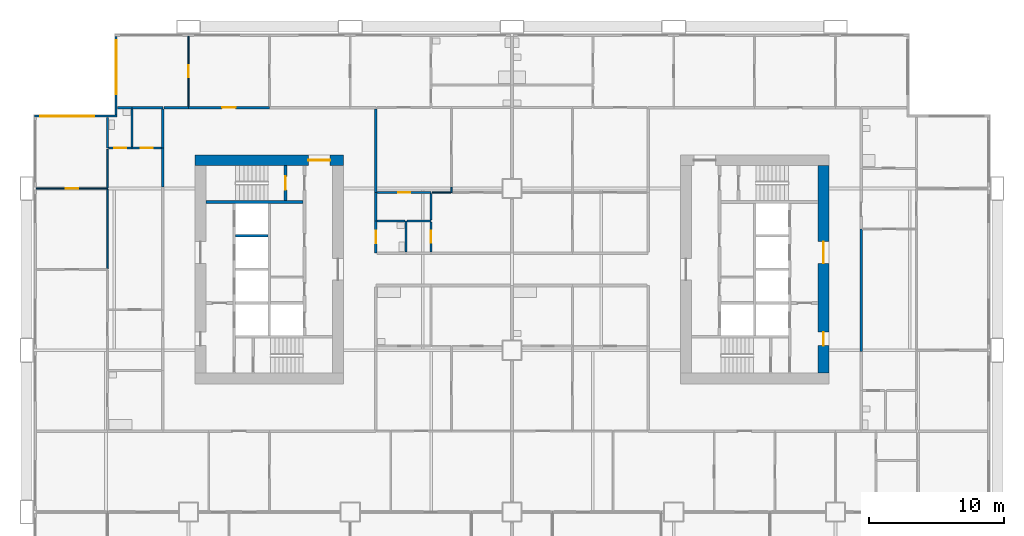
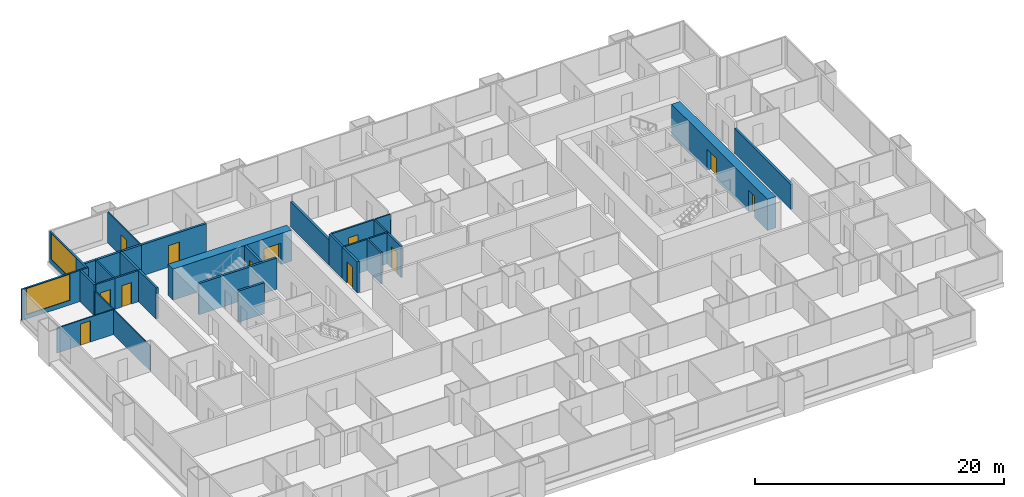
# One storey, part 7 of 13: 33 walls, 12 doors, 2 windows, 14 openings.
"""IFC4 building model written with IfcOpenShell, lengths in metres."""

import ifcopenshell
import ifcopenshell.guid

model = None  # the IFC model being written
_history = None  # IfcOwnerHistory: only IFC2X3 demands one
_inside = {}  # id of a spatial element -> (the spatial element, [elements in it])
_under = {}  # id of a project, library or spatial element -> (it, [spatial elements below it])
_declared = {}  # id of a project -> (the project, [libraries it declares])
_typed = {}  # id of a type object -> (the type object, [elements of that type])
_made_of = {}  # id of a material, layer set ... -> (it, [elements and type objects made of it])


def new_model(schema):
    """Start an empty IFC model of exactly this schema.

    Asked for "IFC4X3", IfcOpenShell would pick the latest addendum, in which some entities
    have other attributes; the version numbers below select the first issue.
    IFC2X3 requires an IfcOwnerHistory on every rooted entity: one is made here for all.
    """
    global model, _history
    if schema == "IFC4X3":
        model = ifcopenshell.file(schema_version=(4, 3, 0, 0))
    else:
        model = ifcopenshell.file(schema=schema)
    _inside.clear()
    _under.clear()
    _declared.clear()
    _typed.clear()
    _made_of.clear()
    _history = None
    if model.schema == "IFC2X3":
        org = make("IfcOrganization", Name="unknown")
        user = make(
            "IfcPersonAndOrganization",
            ThePerson=make("IfcPerson", FamilyName="unknown"),
            TheOrganization=org,
        )
        app = make(
            "IfcApplication",
            ApplicationDeveloper=org,
            Version="unknown",
            ApplicationFullName="unknown",
            ApplicationIdentifier="unknown",
        )
        _history = make(
            "IfcOwnerHistory",
            OwningUser=user,
            OwningApplication=app,
            ChangeAction="ADDED",
            CreationDate=0,
        )
    return model


def make(cls, **values):
    """One entity of the class cls with the attributes given. An attribute that is None is left unset."""
    return model.create_entity(
        cls, **{name: value for name, value in values.items() if value is not None}
    )


def rooted(cls, **values):
    """An entity with a GlobalId (a new one), such as an element, a storey or a relation."""
    return make(cls, GlobalId=ifcopenshell.guid.new(), OwnerHistory=_history, **values)


def si_unit(unit_type, name, prefix=None):
    """IfcSIUnit, for example si_unit("LENGTHUNIT", "METRE", prefix="MILLI")."""
    return make("IfcSIUnit", UnitType=unit_type, Prefix=prefix, Name=name)


def assignment(units):
    """IfcUnitAssignment: the units of a project."""
    return None if units is None else make("IfcUnitAssignment", Units=units)


def point(xyz):
    """IfcCartesianPoint."""
    return None if xyz is None else make("IfcCartesianPoint", Coordinates=xyz)


def direction(xyz):
    """IfcDirection."""
    return None if xyz is None else make("IfcDirection", DirectionRatios=xyz)


def frame(location, z_axis=None, x_axis=None):
    """IfcAxis2Placement3D, a coordinate frame: its origin and axes. An axis left out is left unset."""
    return make(
        "IfcAxis2Placement3D",
        Location=point(location),
        Axis=direction(z_axis),
        RefDirection=direction(x_axis),
    )


def frame_2d(location, x_axis=None):
    """IfcAxis2Placement2D, a coordinate frame in the plane: its origin and x axis."""
    return make(
        "IfcAxis2Placement2D", Location=point(location), RefDirection=direction(x_axis)
    )


def origin():
    """The frame at (0, 0, 0) with its axes left unset."""
    return frame((0.0, 0.0, 0.0))


def place(relative_to, where):
    """IfcLocalPlacement: puts the frame where relative to a parent placement (None: the world)."""
    return make(
        "IfcLocalPlacement", PlacementRelTo=relative_to, RelativePlacement=where
    )


def context(
    kind, dimensions, precision=None, world=None, true_north=None, identifier=None
):
    """IfcGeometricRepresentationContext, for example the 3D "Model" context."""
    return make(
        "IfcGeometricRepresentationContext",
        ContextIdentifier=identifier,
        ContextType=kind,
        CoordinateSpaceDimension=dimensions,
        Precision=precision,
        WorldCoordinateSystem=world,
        TrueNorth=true_north,
    )


def subcontext(parent, identifier, kind, view, scale=None):
    """IfcGeometricRepresentationSubContext, for example "Body" below "Model"."""
    return make(
        "IfcGeometricRepresentationSubContext",
        ContextIdentifier=identifier,
        ContextType=kind,
        ParentContext=parent,
        TargetScale=scale,
        TargetView=view,
    )


def project(units=None, contexts=None):
    """IfcProject with its units and contexts."""
    return rooted(
        "IfcProject",
        Name="project",
        RepresentationContexts=contexts,
        UnitsInContext=assignment(units),
    )


def spatial(cls, under=None, at=None, **own):
    """A site, building, storey or space (cls), placed at a placement, below another one or the project."""
    s = rooted(cls, ObjectPlacement=at, **own)
    if under is not None:
        _under.setdefault(under.id(), (under, []))[1].append(s)
    return s


def profile(cls, at=None, kind="AREA", **sizes):
    """A parametric profile (cls). Its sizes go by their IFC names, for example OverallWidth=200.0."""
    return make(cls, ProfileType=kind, Position=at, **sizes)


def rectangle(**sizes):
    """IfcRectangleProfileDef."""
    return profile("IfcRectangleProfileDef", **sizes)


def extrude(swept, where, along, depth):
    """IfcExtrudedAreaSolid: the profile swept, set in the frame where, extruded along a direction by depth."""
    return make(
        "IfcExtrudedAreaSolid",
        SweptArea=swept,
        Position=where,
        ExtrudedDirection=direction(along),
        Depth=depth,
    )


def shape(context_of_items, identifier, shape_type, items):
    """IfcShapeRepresentation: the items that make up one representation, for example the "Body"."""
    return make(
        "IfcShapeRepresentation",
        ContextOfItems=context_of_items,
        RepresentationIdentifier=identifier,
        RepresentationType=shape_type,
        Items=items,
    )


def material(Name=None, Category=None):
    """IfcMaterial."""
    return make("IfcMaterial", Name=Name, Category=Category)


def layer(
    of_material, thickness, ventilated=None, Name=None, Category=None, Priority=None
):
    """IfcMaterialLayer: one layer of a wall or slab, of a material (None: an air gap)."""
    return make(
        "IfcMaterialLayer",
        Material=of_material,
        LayerThickness=thickness,
        IsVentilated=ventilated,
        Name=Name,
        Category=Category,
        Priority=Priority,
    )


def layer_set(layers, Name=None):
    """IfcMaterialLayerSet."""
    return make("IfcMaterialLayerSet", MaterialLayers=layers, LayerSetName=Name)


def made_of(thing, what):
    """Note that an element or type object is made of a material, layer set ...; save() writes the relation."""
    if what is not None:
        _made_of.setdefault(what.id(), (what, []))[1].append(thing)
    return thing


def type_object(cls, material=None, **own):
    """A type object (cls), such as IfcWallType, which elements share."""
    return made_of(rooted(cls, **own), material)


def element(
    cls,
    number,
    at=None,
    inside=None,
    cuts=None,
    type_object=None,
    material=None,
    context=None,
    identifier="Body",
    shape_type=None,
    held_by="IfcProductDefinitionShape",
    body=None,
    shapes=None,
    **own,
):
    """One element of the class cls, such as IfcWall. Its Tag is "e" and its number.

    at: its placement. inside: the storey or other place that contains it. cuts: it is an
    opening in that element (IfcRelVoidsElement). A single representation is given by context,
    identifier, shape_type and body (its items); several are given by shapes. held_by: the class
    of the entity that holds the representations. save() writes the other relations.
    """
    e = rooted(cls, Tag="e%d" % number, ObjectPlacement=at, **own)
    if body is not None:
        shapes = [shape(context, identifier, shape_type, body)]
    if shapes is not None:
        e.Representation = make(held_by, Representations=shapes)
    if inside is not None:
        _inside.setdefault(inside.id(), (inside, []))[1].append(e)
    if cuts is not None:
        rooted(
            "IfcRelVoidsElement", RelatingBuildingElement=cuts, RelatedOpeningElement=e
        )
    if type_object is not None:
        _typed.setdefault(type_object.id(), (type_object, []))[1].append(e)
    return made_of(e, material)


def fill(opening, filler):
    """IfcRelFillsElement: the door or window that sits in an opening."""
    return rooted(
        "IfcRelFillsElement",
        RelatingOpeningElement=opening,
        RelatedBuildingElement=filler,
    )


def aggregate(whole, parts):
    """IfcRelAggregates: a whole, such as a stair, and the parts it consists of."""
    return rooted("IfcRelAggregates", RelatingObject=whole, RelatedObjects=parts)


def save(model, path):
    """Write the relations noted so far, then the file.

    IfcRelAggregates (storeys below a building ...), IfcRelContainedInSpatialStructure (elements
    in a storey), IfcRelDefinesByType, IfcRelAssociatesMaterial and IfcRelDeclares: one each for
    every whole, place, type object, material and project.
    """
    for whole, parts in _under.values():
        aggregate(whole, parts)
    for where, things in _inside.values():
        rooted(
            "IfcRelContainedInSpatialStructure",
            RelatedElements=things,
            RelatingStructure=where,
        )
    for kind, things in _typed.values():
        rooted("IfcRelDefinesByType", RelatedObjects=things, RelatingType=kind)
    for what, things in _made_of.values():
        rooted("IfcRelAssociatesMaterial", RelatedObjects=things, RelatingMaterial=what)
    for by, libraries in _declared.values():
        rooted("IfcRelDeclares", RelatingContext=by, RelatedDefinitions=libraries)
    model.write(path)


model = new_model("IFC4")

# Units and contexts
model_context = context("Model", 3, precision=1e-05, world=origin(), true_north=direction((0.0, 1.0)))
body_context = subcontext(model_context, "Body", "Model", "MODEL_VIEW")
ifc_project = project(units=[si_unit("LENGTHUNIT", "METRE"), si_unit("AREAUNIT", "SQUARE_METRE"), si_unit("VOLUMEUNIT", "CUBIC_METRE"), si_unit("PLANEANGLEUNIT", "RADIAN"), si_unit("MASSUNIT", "GRAM", prefix="KILO")], contexts=[model_context])

# Site, building, storey
site_placement = place(None, origin())
site = spatial("IfcSite", under=ifc_project, at=site_placement, CompositionType="ELEMENT")
building_placement = place(site_placement, origin())
building = spatial("IfcBuilding", under=site, at=building_placement, Name="Kitamizu Gate Tower and Museum", CompositionType="ELEMENT")
storey_placement = place(building_placement, frame((0.0, 0.0, 36.89990234375)))
storey = spatial("IfcBuildingStorey", under=building, at=storey_placement, Name="L07", CompositionType="ELEMENT", Elevation=36.89990234375)

# Wall, opening, door
ifc_material_1 = material(Name="Concrete Fc60", Category="concrete")
ifc_layer_1 = layer(ifc_material_1, 0.800048828125)
ifc_layer_set_1 = layer_set([ifc_layer_1], Name="Concrete Fc60")
wall_type_1 = type_object("IfcWallType", Name="Core wall 800", PredefinedType="SHEAR", material=ifc_layer_set_1)
wall_1_placement = place(storey_placement, frame((12.5, 38.10009765625, 0.0), z_axis=(0.0, 0.0, 1.0), x_axis=(1.0, 0.0, 0.0)))
wall_1 = element("IfcWall", 1, at=wall_1_placement, inside=storey, type_object=wall_type_1, Name="Core wall WN", PredefinedType="SHEAR", context=body_context, shape_type="SweptSolid", body=[
    extrude(rectangle(XDim=11.0, YDim=0.800048828125, at=frame_2d((5.5, 0.0))), origin(), (0.0, 0.0, 1.0), 3.050048828125),
])
opening_1_placement = place(wall_1_placement, frame((8.39990234375, 0.0, 0.0)))
opening_1 = element("IfcOpeningElement", 2, at=opening_1_placement, cuts=wall_1, Name="Opening L07-085", PredefinedType="OPENING", context=body_context, shape_type="SweptSolid", body=[
    extrude(rectangle(XDim=1.60009765625, YDim=2.10009765625, at=frame_2d((0.800048828125, 1.050048828125))), frame((0.0, 0.41015625, 0.0), z_axis=(0.0, -1.0, 0.0), x_axis=(1.0, 0.0, 0.0)), (0.0, 0.0, 1.0), 0.820068359375),
])
ifc_material_2 = material(Name="Timber door set", Category="wood")
door_type_1 = type_object("IfcDoorType", Name="Entrance door 1600", OperationType="DOUBLE_DOOR_SINGLE_SWING", PredefinedType="DOOR", material=ifc_material_2)
door_1_placement = place(opening_1_placement, origin())
door_1 = element("IfcDoor", 3, at=door_1_placement, inside=storey, type_object=door_type_1, Name="Lobby door L07-085", OperationType="DOUBLE_DOOR_SINGLE_SWING", OverallHeight=2.10009765625, OverallWidth=1.60009765625, PredefinedType="DOOR", context=body_context, shape_type="SweptSolid", body=[
    extrude(rectangle(XDim=1.60009765625, YDim=2.10009765625, at=frame_2d((0.800048828125, 1.050048828125))), frame((0.0, 0.02490234375, 0.0), z_axis=(0.0, -1.0, 0.0), x_axis=(1.0, 0.0, 0.0)), (0.0, 0.0, 1.0), 0.050048828125),
])
fill(opening_1, door_1)

# Wall, openings, doors
wall_2_placement = place(storey_placement, frame((59.10009765625, 22.300048828125, 0.0), z_axis=(0.0, 0.0, 1.0), x_axis=(0.0, 1.0, 0.0)))
wall_2 = element("IfcWall", 4, at=wall_2_placement, inside=storey, type_object=wall_type_1, Name="Core wall EOUT", PredefinedType="SHEAR", context=body_context, shape_type="SweptSolid", body=[
    extrude(rectangle(XDim=15.39990234375, YDim=0.800048828125, at=frame_2d((7.699951171875, 0.0))), origin(), (0.0, 0.0, 1.0), 3.050048828125),
])
opening_2_placement = place(wall_2_placement, frame((8.14990234375, 0.0, 0.0)))
opening_2 = element("IfcOpeningElement", 5, at=opening_2_placement, cuts=wall_2, Name="Opening L07-094", PredefinedType="OPENING", context=body_context, shape_type="SweptSolid", body=[
    extrude(rectangle(XDim=1.60009765625, YDim=2.10009765625, at=frame_2d((0.800048828125, 1.050048828125))), frame((0.0, 0.41015625, 0.0), z_axis=(0.0, -1.0, 0.0), x_axis=(1.0, 0.0, 0.0)), (0.0, 0.0, 1.0), 0.820068359375),
])
opening_3_placement = place(wall_2_placement, frame((2.050048828125, 0.0, 0.0)))
opening_3 = element("IfcOpeningElement", 6, at=opening_3_placement, cuts=wall_2, Name="Opening L07-095", PredefinedType="OPENING", context=body_context, shape_type="SweptSolid", body=[
    extrude(rectangle(XDim=1.0, YDim=2.10009765625, at=frame_2d((0.5, 1.050048828125))), frame((0.0, 0.41015625, 0.0), z_axis=(0.0, -1.0, 0.0), x_axis=(1.0, 0.0, 0.0)), (0.0, 0.0, 1.0), 0.820068359375),
])
door_2_placement = place(opening_2_placement, origin())
door_2 = element("IfcDoor", 7, at=door_2_placement, inside=storey, type_object=door_type_1, Name="Lobby door L07-094", OperationType="DOUBLE_DOOR_SINGLE_SWING", OverallHeight=2.10009765625, OverallWidth=1.60009765625, PredefinedType="DOOR", context=body_context, shape_type="SweptSolid", body=[
    extrude(rectangle(XDim=1.60009765625, YDim=2.10009765625, at=frame_2d((0.800048828125, 1.050048828125))), frame((0.0, 0.02490234375, 0.0), z_axis=(0.0, -1.0, 0.0), x_axis=(1.0, 0.0, 0.0)), (0.0, 0.0, 1.0), 0.050048828125),
])
fill(opening_2, door_2)
ifc_material_3 = material(Name="Hollow metal door set")
door_type_2 = type_object("IfcDoorType", Name="Fire door 1000", OperationType="NOTDEFINED", PredefinedType="DOOR", material=ifc_material_3)
door_3_placement = place(opening_3_placement, origin())
door_3 = element("IfcDoor", 8, at=door_3_placement, inside=storey, type_object=door_type_2, Name="Fire-fighting lobby door L07-095", OperationType="SINGLE_SWING_RIGHT", OverallHeight=2.10009765625, OverallWidth=1.0, PredefinedType="DOOR", context=body_context, shape_type="SweptSolid", body=[
    extrude(rectangle(XDim=1.0, YDim=2.10009765625, at=frame_2d((0.5, 1.050048828125))), frame((0.0, 0.02490234375, 0.0), z_axis=(0.0, -1.0, 0.0), x_axis=(1.0, 0.0, 0.0)), (0.0, 0.0, 1.0), 0.050048828125),
])
fill(opening_3, door_3)

# Wall, opening, door
ifc_material_4 = material(Name="Gypsum board on galvanised stud")
ifc_layer_2 = layer(ifc_material_4, 0.10009765625)
ifc_layer_set_2 = layer_set([ifc_layer_2], Name="Gypsum board on galvanised stud")
wall_type_2 = type_object("IfcWallType", Name="Partition 100 NOT RATED", PredefinedType="PARTITIONING", material=ifc_layer_set_2)
wall_3_placement = place(storey_placement, frame((6.0, 36.0, 0.0), z_axis=(0.0, 0.0, 1.0), x_axis=(-1.0, 0.0, 0.0)))
wall_3 = element("IfcWall", 9, at=wall_3_placement, inside=storey, type_object=wall_type_2, Name="Partition L07-056", PredefinedType="PARTITIONING", context=body_context, shape_type="SweptSolid", body=[
    extrude(rectangle(XDim=5.280029296875, YDim=0.10009765625, at=frame_2d((2.64013671875, 0.0))), origin(), (0.0, 0.0, 1.0), 2.4501953125),
])
opening_4_placement = place(wall_3_placement, frame((2.18994140625, 0.0, 0.0)))
opening_4 = element("IfcOpeningElement", 10, at=opening_4_placement, cuts=wall_3, Name="Opening L07-023", PredefinedType="OPENING", context=body_context, shape_type="SweptSolid", body=[
    extrude(rectangle(XDim=0.89990234375, YDim=2.10009765625, at=frame_2d((0.449951171875, 1.050048828125))), frame((0.0, 0.06005859375, 0.0), z_axis=(0.0, -1.0, 0.0), x_axis=(1.0, 0.0, 0.0)), (0.0, 0.0, 1.0), 0.1201171875),
])
ifc_material_5 = material(Name="Timber door set", Category="wood")
door_type_3 = type_object("IfcDoorType", Name="Room door 900", OperationType="NOTDEFINED", PredefinedType="DOOR", material=ifc_material_5)
door_4_placement = place(opening_4_placement, frame((0.89990234375, 0.0, 0.0), x_axis=(-1.0, 0.0, 0.0)))
door_4 = element("IfcDoor", 11, at=door_4_placement, inside=storey, type_object=door_type_3, Name="Door L07-023", OperationType="SINGLE_SWING_LEFT", OverallHeight=2.10009765625, OverallWidth=0.89990234375, PredefinedType="DOOR", context=body_context, shape_type="SweptSolid", body=[
    extrude(rectangle(XDim=0.89990234375, YDim=2.10009765625, at=frame_2d((0.449951171875, 1.050048828125))), frame((0.0, 0.02490234375, 0.0), z_axis=(0.0, -1.0, 0.0), x_axis=(1.0, 0.0, 0.0)), (0.0, 0.0, 1.0), 0.050048828125),
])
fill(opening_4, door_4)

# Walls
wall_4_placement = place(storey_placement, frame((6.0, 30.050048828125, 0.0), z_axis=(0.0, 0.0, 1.0), x_axis=(0.0, 1.0, 0.0)))
element("IfcWall", 12, at=wall_4_placement, inside=storey, type_object=wall_type_2, Name="Partition L07-057", PredefinedType="PARTITIONING", context=body_context, shape_type="SweptSolid", body=[
    extrude(rectangle(XDim=5.89990234375, YDim=0.10009765625, at=frame_2d((2.949951171875, 0.0))), origin(), (0.0, 0.0, 1.0), 2.4501953125),
])
wall_5_placement = place(storey_placement, frame((6.0, 36.050048828125, 0.0), z_axis=(0.0, 0.0, 1.0), x_axis=(0.0, 1.0, 0.0)))
element("IfcWall", 13, at=wall_5_placement, inside=storey, type_object=wall_type_2, Name="Partition L07-058", PredefinedType="PARTITIONING", context=body_context, shape_type="SweptSolid", body=[
    extrude(rectangle(XDim=2.875, YDim=0.10009765625, at=frame_2d((1.4375, 0.0))), origin(), (0.0, 0.0, 1.0), 2.4501953125),
])

# Wall, opening, door
wall_6_placement = place(storey_placement, frame((12.0, 42.10009765625, 0.0), z_axis=(0.0, 0.0, 1.0), x_axis=(0.0, 1.0, 0.0)))
wall_6 = element("IfcWall", 14, at=wall_6_placement, inside=storey, type_object=wall_type_2, Name="Partition L07-146", PredefinedType="PARTITIONING", context=body_context, shape_type="SweptSolid", body=[
    extrude(rectangle(XDim=5.179931640625, YDim=0.10009765625, at=frame_2d((2.58984375, 0.0))), origin(), (0.0, 0.0, 1.0), 3.050048828125),
])
opening_5_placement = place(wall_6_placement, frame((2.139892578125, 0.0, 0.0)))
opening_5 = element("IfcOpeningElement", 15, at=opening_5_placement, cuts=wall_6, Name="Opening L07-058", PredefinedType="OPENING", context=body_context, shape_type="SweptSolid", body=[
    extrude(rectangle(XDim=0.89990234375, YDim=2.10009765625, at=frame_2d((0.449951171875, 1.050048828125))), frame((0.0, 0.06005859375, 0.0), z_axis=(0.0, -1.0, 0.0), x_axis=(1.0, 0.0, 0.0)), (0.0, 0.0, 1.0), 0.1201171875),
])
door_5_placement = place(opening_5_placement, origin())
door_5 = element("IfcDoor", 16, at=door_5_placement, inside=storey, type_object=door_type_3, Name="Door L07-058", OperationType="SINGLE_SWING_RIGHT", OverallHeight=2.10009765625, OverallWidth=0.89990234375, PredefinedType="DOOR", context=body_context, shape_type="SweptSolid", body=[
    extrude(rectangle(XDim=0.89990234375, YDim=2.10009765625, at=frame_2d((0.449951171875, 1.050048828125))), frame((0.0, 0.02490234375, 0.0), z_axis=(0.0, -1.0, 0.0), x_axis=(1.0, 0.0, 0.0)), (0.0, 0.0, 1.0), 0.050048828125),
])
fill(opening_5, door_5)

# Walls
wall_7_placement = place(storey_placement, frame((31.5, 35.699951171875, 0.0), z_axis=(0.0, 0.0, 1.0), x_axis=(0.0, 1.0, 0.0)))
element("IfcWall", 17, at=wall_7_placement, inside=storey, type_object=wall_type_2, Name="Partition L07-161", PredefinedType="PARTITIONING", context=body_context, shape_type="SweptSolid", body=[
    extrude(rectangle(XDim=0.400146484375, YDim=0.10009765625, at=frame_2d((0.2001953125, 0.0))), origin(), (0.0, 0.0, 1.0), 2.4501953125),
])
wall_8_placement = place(storey_placement, frame((30.074951171875, 35.699951171875, 0.0), z_axis=(0.0, 0.0, 1.0), x_axis=(1.0, 0.0, 0.0)))
element("IfcWall", 18, at=wall_8_placement, inside=storey, type_object=wall_type_2, Name="Partition L07-164", PredefinedType="PARTITIONING", context=body_context, shape_type="SweptSolid", body=[
    extrude(rectangle(XDim=1.375, YDim=0.10009765625, at=frame_2d((0.6875, 0.0))), origin(), (0.0, 0.0, 1.0), 3.050048828125),
])
ifc_material_6 = material(Name="Gypsum board on galvanised stud")
ifc_layer_3 = layer(ifc_material_6, 0.14990234375)
ifc_layer_set_3 = layer_set([ifc_layer_3], Name="Gypsum board on galvanised stud")
wall_type_3 = type_object("IfcWallType", Name="Partition 150", PredefinedType="PARTITIONING", material=ifc_layer_set_3)
wall_9_placement = place(storey_placement, frame((6.0, 39.0, 0.0), z_axis=(0.0, 0.0, 1.0), x_axis=(0.0, 1.0, 0.0)))
element("IfcWall", 19, at=wall_9_placement, inside=storey, type_object=wall_type_3, Name="Partition L07-059", PredefinedType="PARTITIONING", context=body_context, shape_type="SweptSolid", body=[
    extrude(rectangle(XDim=2.280029296875, YDim=0.14990234375, at=frame_2d((1.14013671875, 0.0))), origin(), (0.0, 0.0, 1.0), 3.050048828125),
])

# Wall, opening, door
wall_10_placement = place(storey_placement, frame((7.800048828125, 39.0, 0.0), z_axis=(0.0, 0.0, 1.0), x_axis=(-1.0, 0.0, 0.0)))
wall_10 = element("IfcWall", 20, at=wall_10_placement, inside=storey, type_object=wall_type_3, Name="Partition L07-065", PredefinedType="PARTITIONING", context=body_context, shape_type="SweptSolid", body=[
    extrude(rectangle(XDim=1.72509765625, YDim=0.14990234375, at=frame_2d((0.862548828125, 0.0))), origin(), (0.0, 0.0, 1.0), 3.050048828125),
])
opening_6_placement = place(wall_10_placement, frame((0.41259765625, 0.0, 0.0)))
opening_6 = element("IfcOpeningElement", 21, at=opening_6_placement, cuts=wall_10, Name="Opening L07-025", PredefinedType="OPENING", context=body_context, shape_type="SweptSolid", body=[
    extrude(rectangle(XDim=0.89990234375, YDim=2.10009765625, at=frame_2d((0.449951171875, 1.050048828125))), frame((0.0, 0.0849609375, 0.0), z_axis=(0.0, -1.0, 0.0), x_axis=(1.0, 0.0, 0.0)), (0.0, 0.0, 1.0), 0.169921875),
])
ifc_material_7 = material(Name="Timber door set", Category="wood")
door_type_4 = type_object("IfcDoorType", Name="Bathroom door 900", OperationType="NOTDEFINED", PredefinedType="DOOR", material=ifc_material_7)
door_6_placement = place(opening_6_placement, frame((0.89990234375, 0.0, 0.0), x_axis=(-1.0, 0.0, 0.0)))
door_6 = element("IfcDoor", 22, at=door_6_placement, inside=storey, type_object=door_type_4, Name="Bathroom door L07-025", OperationType="SINGLE_SWING_LEFT", OverallHeight=2.10009765625, OverallWidth=0.89990234375, PredefinedType="DOOR", context=body_context, shape_type="SweptSolid", body=[
    extrude(rectangle(XDim=0.89990234375, YDim=2.10009765625, at=frame_2d((0.449951171875, 1.050048828125))), frame((0.0, 0.02490234375, 0.0), z_axis=(0.0, -1.0, 0.0), x_axis=(1.0, 0.0, 0.0)), (0.0, 0.0, 1.0), 0.050048828125),
])
fill(opening_6, door_6)

wall_11_placement = place(storey_placement, frame((10.0, 39.0, 0.0), z_axis=(0.0, 0.0, 1.0), x_axis=(-1.0, 0.0, 0.0)))
wall_11 = element("IfcWall", 23, at=wall_11_placement, inside=storey, type_object=wall_type_3, Name="Partition L07-066", PredefinedType="PARTITIONING", context=body_context, shape_type="SweptSolid", body=[
    extrude(rectangle(XDim=2.199951171875, YDim=0.14990234375, at=frame_2d((1.10009765625, 0.0))), origin(), (0.0, 0.0, 1.0), 3.050048828125),
])
opening_7_placement = place(wall_11_placement, frame((0.64990234375, 0.0, 0.0)))
opening_7 = element("IfcOpeningElement", 24, at=opening_7_placement, cuts=wall_11, Name="Opening L07-026", PredefinedType="OPENING", context=body_context, shape_type="SweptSolid", body=[
    extrude(rectangle(XDim=0.89990234375, YDim=2.10009765625, at=frame_2d((0.449951171875, 1.050048828125))), frame((0.0, 0.0849609375, 0.0), z_axis=(0.0, -1.0, 0.0), x_axis=(1.0, 0.0, 0.0)), (0.0, 0.0, 1.0), 0.169921875),
])
door_7_placement = place(opening_7_placement, frame((0.89990234375, 0.0, 0.0), x_axis=(-1.0, 0.0, 0.0)))
door_7 = element("IfcDoor", 25, at=door_7_placement, inside=storey, type_object=door_type_4, Name="Bathroom door L07-026", OperationType="SINGLE_SWING_RIGHT", OverallHeight=2.10009765625, OverallWidth=0.89990234375, PredefinedType="DOOR", context=body_context, shape_type="SweptSolid", body=[
    extrude(rectangle(XDim=0.89990234375, YDim=2.10009765625, at=frame_2d((0.449951171875, 1.050048828125))), frame((0.0, 0.02490234375, 0.0), z_axis=(0.0, -1.0, 0.0), x_axis=(1.0, 0.0, 0.0)), (0.0, 0.0, 1.0), 0.050048828125),
])
fill(opening_7, door_7)

# Wall
wall_12_placement = place(storey_placement, frame((7.800048828125, 39.074951171875, 0.0), z_axis=(0.0, 0.0, 1.0), x_axis=(0.0, 1.0, 0.0)))
element("IfcWall", 26, at=wall_12_placement, inside=storey, type_object=wall_type_3, Name="Partition L07-069", PredefinedType="PARTITIONING", context=body_context, shape_type="SweptSolid", body=[
    extrude(rectangle(XDim=2.824951171875, YDim=0.14990234375, at=frame_2d((1.41259765625, 0.0))), origin(), (0.0, 0.0, 1.0), 3.050048828125),
])

# Wall, opening, door
wall_13_placement = place(storey_placement, frame((26.0, 35.699951171875, 0.0), z_axis=(0.0, 0.0, 1.0), x_axis=(1.0, 0.0, 0.0)))
wall_13 = element("IfcWall", 27, at=wall_13_placement, inside=storey, type_object=wall_type_3, Name="Partition L07-163", PredefinedType="PARTITIONING", context=body_context, shape_type="SweptSolid", body=[
    extrude(rectangle(XDim=4.0, YDim=0.14990234375, at=frame_2d((2.0, 0.0))), origin(), (0.0, 0.0, 1.0), 3.050048828125),
])
opening_8_placement = place(wall_13_placement, frame((1.550048828125, 0.0, 0.0)))
opening_8 = element("IfcOpeningElement", 28, at=opening_8_placement, cuts=wall_13, Name="Opening L07-064", PredefinedType="OPENING", context=body_context, shape_type="SweptSolid", body=[
    extrude(rectangle(XDim=0.89990234375, YDim=2.10009765625, at=frame_2d((0.449951171875, 1.050048828125))), frame((0.0, 0.0849609375, 0.0), z_axis=(0.0, -1.0, 0.0), x_axis=(1.0, 0.0, 0.0)), (0.0, 0.0, 1.0), 0.169921875),
])
door_8_placement = place(opening_8_placement, frame((0.89990234375, 0.0, 0.0), x_axis=(-1.0, 0.0, 0.0)))
door_8 = element("IfcDoor", 29, at=door_8_placement, inside=storey, type_object=door_type_4, Name="Bathroom door L07-064", OperationType="SINGLE_SWING_LEFT", OverallHeight=2.10009765625, OverallWidth=0.89990234375, PredefinedType="DOOR", context=body_context, shape_type="SweptSolid", body=[
    extrude(rectangle(XDim=0.89990234375, YDim=2.10009765625, at=frame_2d((0.449951171875, 1.050048828125))), frame((0.0, 0.02490234375, 0.0), z_axis=(0.0, -1.0, 0.0), x_axis=(1.0, 0.0, 0.0)), (0.0, 0.0, 1.0), 0.050048828125),
])
fill(opening_8, door_8)

# Walls
wall_14_placement = place(storey_placement, frame((28.14990234375, 31.300048828125, 0.0), z_axis=(0.0, 0.0, 1.0), x_axis=(0.0, 1.0, 0.0)))
element("IfcWall", 30, at=wall_14_placement, inside=storey, type_object=wall_type_3, Name="Partition L07-168", PredefinedType="PARTITIONING", context=body_context, shape_type="SweptSolid", body=[
    extrude(rectangle(XDim=2.300048828125, YDim=0.14990234375, at=frame_2d((1.14990234375, 0.0))), origin(), (0.0, 0.0, 1.0), 3.050048828125),
])
wall_15_placement = place(storey_placement, frame((28.074951171875, 33.60009765625, 0.0), z_axis=(0.0, 0.0, 1.0), x_axis=(-1.0, 0.0, 0.0)))
element("IfcWall", 31, at=wall_15_placement, inside=storey, type_object=wall_type_3, Name="Partition L07-169", PredefinedType="PARTITIONING", context=body_context, shape_type="SweptSolid", body=[
    extrude(rectangle(XDim=2.074951171875, YDim=0.14990234375, at=frame_2d((1.03759765625, 0.0))), origin(), (0.0, 0.0, 1.0), 3.050048828125),
])
wall_16_placement = place(storey_placement, frame((30.0, 33.60009765625, 0.0), z_axis=(0.0, 0.0, 1.0), x_axis=(-1.0, 0.0, 0.0)))
element("IfcWall", 32, at=wall_16_placement, inside=storey, type_object=wall_type_3, Name="Partition L07-172", PredefinedType="PARTITIONING", context=body_context, shape_type="SweptSolid", body=[
    extrude(rectangle(XDim=1.77490234375, YDim=0.14990234375, at=frame_2d((0.887451171875, 0.0))), origin(), (0.0, 0.0, 1.0), 3.050048828125),
])

# Wall, opening, door
wall_17_placement = place(storey_placement, frame((30.0, 31.300048828125, 0.0), z_axis=(0.0, 0.0, 1.0), x_axis=(0.0, 1.0, 0.0)))
wall_17 = element("IfcWall", 33, at=wall_17_placement, inside=storey, type_object=wall_type_3, Name="Partition L07-173", PredefinedType="PARTITIONING", context=body_context, shape_type="SweptSolid", body=[
    extrude(rectangle(XDim=2.224853515625, YDim=0.14990234375, at=frame_2d((1.1123046875, 0.0))), origin(), (0.0, 0.0, 1.0), 3.050048828125),
])
opening_9_placement = place(wall_17_placement, frame((0.66259765625, 0.0, 0.0)))
opening_9 = element("IfcOpeningElement", 34, at=opening_9_placement, cuts=wall_17, Name="Opening L07-066", PredefinedType="OPENING", context=body_context, shape_type="SweptSolid", body=[
    extrude(rectangle(XDim=0.89990234375, YDim=2.10009765625, at=frame_2d((0.449951171875, 1.050048828125))), frame((0.0, 0.0849609375, 0.0), z_axis=(0.0, -1.0, 0.0), x_axis=(1.0, 0.0, 0.0)), (0.0, 0.0, 1.0), 0.169921875),
])
door_9_placement = place(opening_9_placement, origin())
door_9 = element("IfcDoor", 35, at=door_9_placement, inside=storey, type_object=door_type_4, Name="Bathroom door L07-066", OperationType="SINGLE_SWING_LEFT", OverallHeight=2.10009765625, OverallWidth=0.89990234375, PredefinedType="DOOR", context=body_context, shape_type="SweptSolid", body=[
    extrude(rectangle(XDim=0.89990234375, YDim=2.10009765625, at=frame_2d((0.449951171875, 1.050048828125))), frame((0.0, 0.02490234375, 0.0), z_axis=(0.0, -1.0, 0.0), x_axis=(1.0, 0.0, 0.0)), (0.0, 0.0, 1.0), 0.050048828125),
])
fill(opening_9, door_9)

# Walls
wall_18_placement = place(storey_placement, frame((30.0, 33.675048828125, 0.0), z_axis=(0.0, 0.0, 1.0), x_axis=(0.0, 1.0, 0.0)))
element("IfcWall", 36, at=wall_18_placement, inside=storey, type_object=wall_type_3, Name="Partition L07-175", PredefinedType="PARTITIONING", context=body_context, shape_type="SweptSolid", body=[
    extrude(rectangle(XDim=1.949951171875, YDim=0.14990234375, at=frame_2d((0.97509765625, 0.0))), origin(), (0.0, 0.0, 1.0), 3.050048828125),
])
ifc_material_8 = material(Name="Gypsum board on galvanised stud")
ifc_layer_4 = layer(ifc_material_8, 0.199951171875)
ifc_layer_set_4 = layer_set([ifc_layer_4], Name="Gypsum board on galvanised stud")
wall_type_4 = type_object("IfcWallType", Name="Partition 200", PredefinedType="PARTITIONING", material=ifc_layer_set_4)
wall_19_placement = place(storey_placement, frame((10.10009765625, 36.10009765625, 0.0), z_axis=(0.0, 0.0, 1.0), x_axis=(0.0, 1.0, 0.0)))
element("IfcWall", 37, at=wall_19_placement, inside=storey, type_object=wall_type_4, Name="Partition L07-068", PredefinedType="PARTITIONING", context=body_context, shape_type="SweptSolid", body=[
    extrude(rectangle(XDim=2.89990234375, YDim=0.199951171875, at=frame_2d((1.449951171875, 0.0))), origin(), (0.0, 0.0, 1.0), 3.050048828125),
])
wall_20_placement = place(storey_placement, frame((7.800048828125, 42.0, 0.0), z_axis=(0.0, 0.0, 1.0), x_axis=(-1.0, 0.0, 0.0)))
element("IfcWall", 38, at=wall_20_placement, inside=storey, type_object=wall_type_4, Name="Partition L07-070", PredefinedType="PARTITIONING", context=body_context, shape_type="SweptSolid", body=[
    extrude(rectangle(XDim=1.080078125, YDim=0.199951171875, at=frame_2d((0.5400390625, 0.0))), origin(), (0.0, 0.0, 1.0), 3.050048828125),
])
wall_21_placement = place(storey_placement, frame((10.10009765625, 42.0, 0.0), z_axis=(0.0, 0.0, 1.0), x_axis=(-1.0, 0.0, 0.0)))
element("IfcWall", 39, at=wall_21_placement, inside=storey, type_object=wall_type_4, Name="Partition L07-071", PredefinedType="PARTITIONING", context=body_context, shape_type="SweptSolid", body=[
    extrude(rectangle(XDim=2.300048828125, YDim=0.199951171875, at=frame_2d((1.14990234375, 0.0))), origin(), (0.0, 0.0, 1.0), 3.050048828125),
])
wall_22_placement = place(storey_placement, frame((10.10009765625, 39.0, 0.0), z_axis=(0.0, 0.0, 1.0), x_axis=(0.0, 1.0, 0.0)))
element("IfcWall", 40, at=wall_22_placement, inside=storey, type_object=wall_type_4, Name="Partition L07-072", PredefinedType="PARTITIONING", context=body_context, shape_type="SweptSolid", body=[
    extrude(rectangle(XDim=2.89990234375, YDim=0.199951171875, at=frame_2d((1.449951171875, 0.0))), origin(), (0.0, 0.0, 1.0), 3.050048828125),
])
wall_23_placement = place(storey_placement, frame((61.89990234375, 33.0, 0.0), z_axis=(0.0, 0.0, 1.0), x_axis=(0.0, -1.0, 0.0)))
element("IfcWall", 41, at=wall_23_placement, inside=storey, type_object=wall_type_4, Name="Partition L07-139", PredefinedType="PARTITIONING", context=body_context, shape_type="SweptSolid", body=[
    extrude(rectangle(XDim=9.10009765625, YDim=0.199951171875, at=frame_2d((4.550048828125, 0.0))), origin(), (0.0, 0.0, 1.0), 2.4501953125),
])
wall_24_placement = place(storey_placement, frame((10.199951171875, 42.0, 0.0), z_axis=(0.0, 0.0, 1.0), x_axis=(1.0, 0.0, 0.0)))
element("IfcWall", 42, at=wall_24_placement, inside=storey, type_object=wall_type_4, Name="Partition L07-147", PredefinedType="PARTITIONING", context=body_context, shape_type="SweptSolid", body=[
    extrude(rectangle(XDim=1.800048828125, YDim=0.199951171875, at=frame_2d((0.89990234375, 0.0))), origin(), (0.0, 0.0, 1.0), 3.050048828125),
])

# Wall, opening, door
wall_25_placement = place(storey_placement, frame((12.0, 42.0, 0.0), z_axis=(0.0, 0.0, 1.0), x_axis=(1.0, 0.0, 0.0)))
wall_25 = element("IfcWall", 43, at=wall_25_placement, inside=storey, type_object=wall_type_4, Name="Partition L07-149", PredefinedType="PARTITIONING", context=body_context, shape_type="SweptSolid", body=[
    extrude(rectangle(XDim=6.0, YDim=0.199951171875, at=frame_2d((3.0, 0.0))), origin(), (0.0, 0.0, 1.0), 3.050048828125),
])
opening_10_placement = place(wall_25_placement, frame((2.5, 0.0, 0.0)))
opening_10 = element("IfcOpeningElement", 44, at=opening_10_placement, cuts=wall_25, Name="Opening L07-056", PredefinedType="OPENING", context=body_context, shape_type="SweptSolid", body=[
    extrude(rectangle(XDim=1.0, YDim=2.10009765625, at=frame_2d((0.5, 1.050048828125))), frame((0.0, 0.10986328125, 0.0), z_axis=(0.0, -1.0, 0.0), x_axis=(1.0, 0.0, 0.0)), (0.0, 0.0, 1.0), 0.219970703125),
])
ifc_material_9 = material(Name="Timber door set", Category="wood")
door_type_5 = type_object("IfcDoorType", Name="Flat entrance door 1000", OperationType="NOTDEFINED", PredefinedType="DOOR", material=ifc_material_9)
door_10_placement = place(opening_10_placement, origin())
door_10 = element("IfcDoor", 45, at=door_10_placement, inside=storey, type_object=door_type_5, Name="Flat entrance door L07-056", OperationType="SINGLE_SWING_RIGHT", OverallHeight=2.10009765625, OverallWidth=1.0, PredefinedType="DOOR", context=body_context, shape_type="SweptSolid", body=[
    extrude(rectangle(XDim=1.0, YDim=2.10009765625, at=frame_2d((0.5, 1.050048828125))), frame((0.0, 0.02490234375, 0.0), z_axis=(0.0, -1.0, 0.0), x_axis=(1.0, 0.0, 0.0)), (0.0, 0.0, 1.0), 0.050048828125),
])
fill(opening_10, door_10)

# Wall
wall_26_placement = place(storey_placement, frame((25.89990234375, 41.89990234375, 0.0), z_axis=(0.0, 0.0, 1.0), x_axis=(0.0, -1.0, 0.0)))
element("IfcWall", 46, at=wall_26_placement, inside=storey, type_object=wall_type_4, Name="Partition L07-165", PredefinedType="PARTITIONING", context=body_context, shape_type="SweptSolid", body=[
    extrude(rectangle(XDim=6.199951171875, YDim=0.199951171875, at=frame_2d((3.10009765625, 0.0))), origin(), (0.0, 0.0, 1.0), 2.4501953125),
])

# Wall, opening, door
wall_27_placement = place(storey_placement, frame((25.89990234375, 33.60009765625, 0.0), z_axis=(0.0, 0.0, 1.0), x_axis=(0.0, -1.0, 0.0)))
wall_27 = element("IfcWall", 47, at=wall_27_placement, inside=storey, type_object=wall_type_4, Name="Partition L07-170", PredefinedType="PARTITIONING", context=body_context, shape_type="SweptSolid", body=[
    extrude(rectangle(XDim=2.400146484375, YDim=0.199951171875, at=frame_2d((1.2001953125, 0.0))), origin(), (0.0, 0.0, 1.0), 3.050048828125),
])
opening_11_placement = place(wall_27_placement, frame((0.75, 0.0, 0.0)))
opening_11 = element("IfcOpeningElement", 48, at=opening_11_placement, cuts=wall_27, Name="Opening L07-067", PredefinedType="OPENING", context=body_context, shape_type="SweptSolid", body=[
    extrude(rectangle(XDim=0.89990234375, YDim=2.10009765625, at=frame_2d((0.449951171875, 1.050048828125))), frame((0.0, 0.10986328125, 0.0), z_axis=(0.0, -1.0, 0.0), x_axis=(1.0, 0.0, 0.0)), (0.0, 0.0, 1.0), 0.219970703125),
])
ifc_material_10 = material(Name="Timber door set", Category="wood")
door_type_6 = type_object("IfcDoorType", Name="Store door 900", OperationType="NOTDEFINED", PredefinedType="DOOR", material=ifc_material_10)
door_11_placement = place(opening_11_placement, origin())
door_11 = element("IfcDoor", 49, at=door_11_placement, inside=storey, type_object=door_type_6, Name="Service entrance door L07-067", OperationType="SINGLE_SWING_RIGHT", OverallHeight=2.10009765625, OverallWidth=0.89990234375, PredefinedType="DOOR", context=body_context, shape_type="SweptSolid", body=[
    extrude(rectangle(XDim=0.89990234375, YDim=2.10009765625, at=frame_2d((0.449951171875, 1.050048828125))), frame((0.0, 0.02490234375, 0.0), z_axis=(0.0, -1.0, 0.0), x_axis=(1.0, 0.0, 0.0)), (0.0, 0.0, 1.0), 0.050048828125),
])
fill(opening_11, door_11)

# Walls
wall_28_placement = place(storey_placement, frame((25.89990234375, 35.699951171875, 0.0), z_axis=(0.0, 0.0, 1.0), x_axis=(0.0, -1.0, 0.0)))
element("IfcWall", 50, at=wall_28_placement, inside=storey, type_object=wall_type_4, Name="Partition L07-176", PredefinedType="PARTITIONING", context=body_context, shape_type="SweptSolid", body=[
    extrude(rectangle(XDim=2.099853515625, YDim=0.199951171875, at=frame_2d((1.0498046875, 0.0))), origin(), (0.0, 0.0, 1.0), 3.050048828125),
])
ifc_material_11 = material(Name="Concrete Fc42", Category="concrete")
ifc_layer_5 = layer(ifc_material_11, 0.199951171875)
ifc_layer_set_5 = layer_set([ifc_layer_5], Name="Concrete Fc42")
wall_type_5 = type_object("IfcWallType", Name="Shaft wall 200", PredefinedType="SOLIDWALL", material=ifc_layer_set_5)
wall_29_placement = place(storey_placement, frame((13.300048828125, 35.0, 0.0), z_axis=(0.0, 0.0, 1.0), x_axis=(1.0, 0.0, 0.0)))
element("IfcWall", 51, at=wall_29_placement, inside=storey, type_object=wall_type_5, Name="Shaft wall WNB", PredefinedType="SOLIDWALL", context=body_context, shape_type="SweptSolid", body=[
    extrude(rectangle(XDim=7.199951171875, YDim=0.199951171875, at=frame_2d((3.60009765625, 0.0))), origin(), (0.0, 0.0, 1.0), 3.050048828125),
])

# Wall, opening, door
wall_30_placement = place(storey_placement, frame((19.199951171875, 35.10009765625, 0.0), z_axis=(0.0, 0.0, 1.0), x_axis=(0.0, 1.0, 0.0)))
wall_30 = element("IfcWall", 52, at=wall_30_placement, inside=storey, type_object=wall_type_5, Name="Shaft wall WNZ", PredefinedType="SOLIDWALL", context=body_context, shape_type="SweptSolid", body=[
    extrude(rectangle(XDim=2.599853515625, YDim=0.199951171875, at=frame_2d((1.2998046875, 0.0))), origin(), (0.0, 0.0, 1.0), 3.050048828125),
])
opening_12_placement = place(wall_30_placement, frame((0.800048828125, 0.0, 0.0)))
opening_12 = element("IfcOpeningElement", 53, at=opening_12_placement, cuts=wall_30, Name="Opening L07-081", PredefinedType="OPENING", context=body_context, shape_type="SweptSolid", body=[
    extrude(rectangle(XDim=1.0, YDim=2.10009765625, at=frame_2d((0.5, 1.050048828125))), frame((0.0, 0.10986328125, 0.0), z_axis=(0.0, -1.0, 0.0), x_axis=(1.0, 0.0, 0.0)), (0.0, 0.0, 1.0), 0.219970703125),
])
door_12_placement = place(opening_12_placement, origin())
door_12 = element("IfcDoor", 54, at=door_12_placement, inside=storey, type_object=door_type_2, Name="Stair door L07-081", OperationType="SINGLE_SWING_RIGHT", OverallHeight=2.10009765625, OverallWidth=1.0, PredefinedType="DOOR", context=body_context, shape_type="SweptSolid", body=[
    extrude(rectangle(XDim=1.0, YDim=2.10009765625, at=frame_2d((0.5, 1.050048828125))), frame((0.0, 0.02490234375, 0.0), z_axis=(0.0, -1.0, 0.0), x_axis=(1.0, 0.0, 0.0)), (0.0, 0.0, 1.0), 0.050048828125),
])
fill(opening_12, door_12)

# Wall
wall_31_placement = place(storey_placement, frame((15.5, 32.5, 0.0), z_axis=(0.0, 0.0, 1.0), x_axis=(1.0, 0.0, 0.0)))
element("IfcWall", 55, at=wall_31_placement, inside=storey, type_object=wall_type_5, Name="Shaft wall WDVW2", PredefinedType="SOLIDWALL", context=body_context, shape_type="SweptSolid", body=[
    extrude(rectangle(XDim=2.39990234375, YDim=0.199951171875, at=frame_2d((1.199951171875, 0.0))), origin(), (0.0, 0.0, 1.0), 3.050048828125),
])

# Wall, opening, window
ifc_material_12 = material(Name="Bronze anodised aluminium frame with insulated spandrel and tinted glass", Category="aluminium")
ifc_layer_6 = layer(ifc_material_12, 0.14990234375)
ifc_layer_set_6 = layer_set([ifc_layer_6], Name="Bronze anodised aluminium frame with insulated spandrel and tinted glass")
wall_type_6 = type_object("IfcWallType", Name="WINDOW WALL 150 BRONZE FRAME EI 30", PredefinedType="ELEMENTEDWALL", material=ifc_layer_set_6)
wall_32_placement = place(storey_placement, frame((6.635009765625, 41.43994140625, 0.0), z_axis=(0.0, 0.0, 1.0), x_axis=(0.0, 1.0, 0.0)))
wall_32 = element("IfcWall", 56, at=wall_32_placement, inside=storey, type_object=wall_type_6, Name="Window wall west L07", PredefinedType="ELEMENTEDWALL", context=body_context, shape_type="SweptSolid", body=[
    extrude(rectangle(XDim=5.85009765625, YDim=0.14990234375, at=frame_2d((2.925048828125, 0.0))), origin(), (0.0, 0.0, 1.0), 3.050048828125),
])
opening_13_placement = place(wall_32_placement, frame((1.56005859375, 0.0, 0.449951171875)))
opening_13 = element("IfcOpeningElement", 57, at=opening_13_placement, cuts=wall_32, Name="Opening W16", PredefinedType="OPENING", context=body_context, shape_type="SweptSolid", body=[
    extrude(rectangle(XDim=4.0, YDim=2.550048828125, at=frame_2d((2.0, 1.27490234375))), frame((0.0, 0.0849609375, 0.0), z_axis=(0.0, -1.0, 0.0), x_axis=(1.0, 0.0, 0.0)), (0.0, 0.0, 1.0), 0.169921875),
])
ifc_material_13 = material(Name="Bronze anodised aluminium frame, tinted triple glazing", Category="aluminium")
window_type = type_object("IfcWindowType", Name="WINDOW 4000 x 2550 SILL 450", PartitioningType="SINGLE_PANEL", PredefinedType="WINDOW", material=ifc_material_13)
window_1_placement = place(opening_13_placement, origin())
window_1 = element("IfcWindow", 58, at=window_1_placement, inside=storey, type_object=window_type, Name="Window W16 L07", OverallHeight=2.550048828125, OverallWidth=4.0, PartitioningType="SINGLE_PANEL", PredefinedType="WINDOW", context=body_context, shape_type="SweptSolid", body=[
    extrude(rectangle(XDim=4.0, YDim=2.550048828125, at=frame_2d((2.0, 1.27490234375))), frame((0.0, 0.030029296875, 0.0), z_axis=(0.0, -1.0, 0.0), x_axis=(1.0, 0.0, 0.0)), (0.0, 0.0, 1.0), 0.06005859375),
])
fill(opening_13, window_1)

wall_33_placement = place(storey_placement, frame((0.56005859375, 41.364990234375, 0.0), z_axis=(0.0, 0.0, 1.0), x_axis=(1.0, 0.0, 0.0)))
wall_33 = element("IfcWall", 59, at=wall_33_placement, inside=storey, type_object=wall_type_6, Name="Window wall north L07", PredefinedType="ELEMENTEDWALL", context=body_context, shape_type="SweptSolid", body=[
    extrude(rectangle(XDim=6.14990234375, YDim=0.14990234375, at=frame_2d((3.074951171875, 0.0))), origin(), (0.0, 0.0, 1.0), 3.050048828125),
])
opening_14_placement = place(wall_33_placement, frame((0.43994140625, 0.0, 0.449951171875)))
opening_14 = element("IfcOpeningElement", 60, at=opening_14_placement, cuts=wall_33, Name="Opening W16", PredefinedType="OPENING", context=body_context, shape_type="SweptSolid", body=[
    extrude(rectangle(XDim=4.0, YDim=2.550048828125, at=frame_2d((2.0, 1.27490234375))), frame((0.0, 0.0849609375, 0.0), z_axis=(0.0, -1.0, 0.0), x_axis=(1.0, 0.0, 0.0)), (0.0, 0.0, 1.0), 0.169921875),
])
window_2_placement = place(opening_14_placement, origin())
window_2 = element("IfcWindow", 61, at=window_2_placement, inside=storey, type_object=window_type, Name="Window W16 L07", OverallHeight=2.550048828125, OverallWidth=4.0, PartitioningType="SINGLE_PANEL", PredefinedType="WINDOW", context=body_context, shape_type="SweptSolid", body=[
    extrude(rectangle(XDim=4.0, YDim=2.550048828125, at=frame_2d((2.0, 1.27490234375))), frame((0.0, 0.030029296875, 0.0), z_axis=(0.0, -1.0, 0.0), x_axis=(1.0, 0.0, 0.0)), (0.0, 0.0, 1.0), 0.06005859375),
])
fill(opening_14, window_2)

save(model, "model.ifc")
